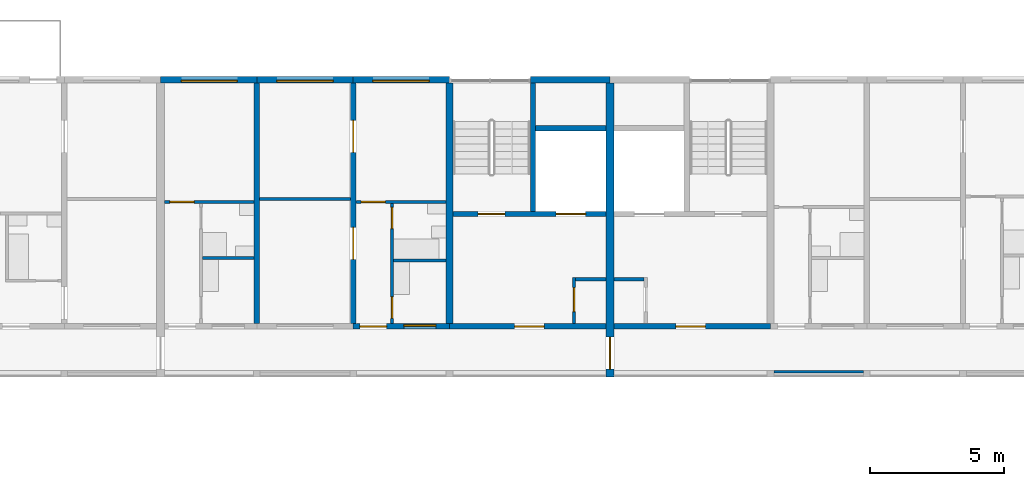
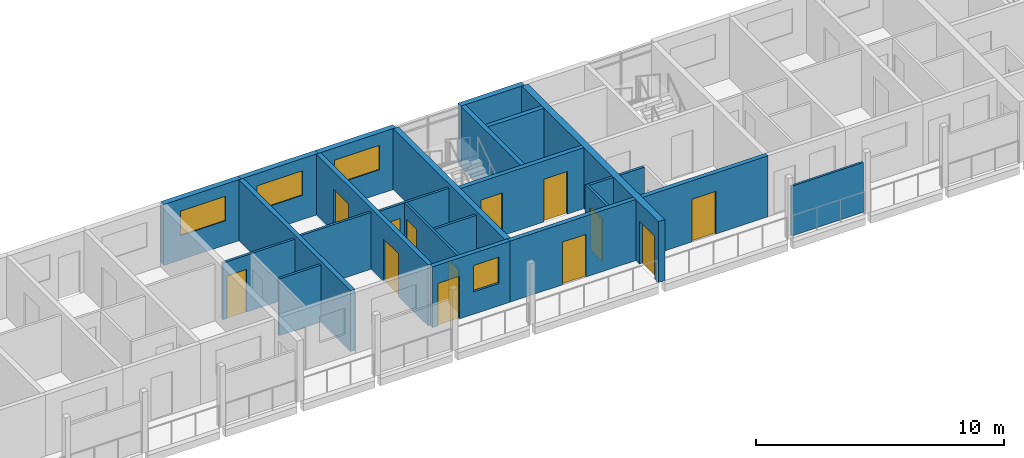
# One storey, part 52 of 115: 24 walls, 13 doors, 4 windows, 17 openings.
"""IFC4 building model written with IfcOpenShell, lengths in metres."""

from ifc_helpers import new_model, si_unit, direction, frame, frame_2d, origin, place, context, subcontext, project, spatial, rectangle, extrude, material, layer, layer_set, type_object, element, fill, save


model = new_model("IFC4")

# Units and contexts
model_context = context("Model", 3, precision=1e-05, world=origin(), true_north=direction((0.0, 1.0)))
body_context = subcontext(model_context, "Body", "Model", "MODEL_VIEW")
ifc_project = project(units=[si_unit("LENGTHUNIT", "METRE"), si_unit("AREAUNIT", "SQUARE_METRE"), si_unit("VOLUMEUNIT", "CUBIC_METRE"), si_unit("PLANEANGLEUNIT", "RADIAN"), si_unit("MASSUNIT", "GRAM", prefix="KILO")], contexts=[model_context])

# Site, building, storey
site_placement = place(None, origin())
site = spatial("IfcSite", under=ifc_project, at=site_placement, CompositionType="ELEMENT")
building_placement = place(site_placement, origin())
building = spatial("IfcBuilding", under=site, at=building_placement, Name="Ridgestep Commons", CompositionType="ELEMENT")
storey_placement = place(building_placement, frame((0.0, 0.0, 6.0)))
storey = spatial("IfcBuildingStorey", under=building, at=storey_placement, Name="L02", CompositionType="ELEMENT", Elevation=6.0)

# Wall
ifc_material_1 = material(Name="Concrete C30/37", Category="concrete")
ifc_layer_1 = layer(ifc_material_1, 0.25)
ifc_layer_set_1 = layer_set([ifc_layer_1], Name="Core cross wall 250")
wall_type_1 = type_object("IfcWallType", Name="Core cross wall 250", PredefinedType="SHEAR", material=ifc_layer_set_1)
wall_1_placement = place(storey_placement, frame((73.199951171875, 68.0, 0.0), z_axis=(0.0, 0.0, 1.0), x_axis=(0.0, 1.0, 0.0)))
element("IfcWall", 1, at=wall_1_placement, inside=storey, type_object=wall_type_1, Name="Cross wall B-02-0732", PredefinedType="SHEAR", context=body_context, shape_type="SweptSolid", body=[
    extrude(rectangle(XDim=9.0, YDim=0.25, at=frame_2d((4.5, 0.0))), origin(), (0.0, 0.0, 1.0), 3.0),
])

# Wall, opening, door
ifc_material_2 = material(Name="Concrete C30/37", Category="concrete")
ifc_layer_2 = layer(ifc_material_2, 0.199951171875)
ifc_layer_set_2 = layer_set([ifc_layer_2], Name="Core south wall 200")
wall_type_2 = type_object("IfcWallType", Name="Core south wall 200", PredefinedType="SHEAR", material=ifc_layer_set_2)
wall_2_placement = place(storey_placement, frame((73.199951171875, 67.89990234375, 0.0), z_axis=(0.0, 0.0, 1.0), x_axis=(1.0, 0.0, 0.0)))
wall_2 = element("IfcWall", 2, at=wall_2_placement, inside=storey, type_object=wall_type_2, Name="Core south wall B4C L02", PredefinedType="SHEAR", context=body_context, shape_type="SweptSolid", body=[
    extrude(rectangle(XDim=5.85009765625, YDim=0.199951171875, at=frame_2d((2.925048828125, 0.0))), origin(), (0.0, 0.0, 1.0), 3.0),
])
opening_1_placement = place(wall_2_placement, frame((2.4375, 0.0, 0.0)))
opening_1 = element("IfcOpeningElement", 3, at=opening_1_placement, cuts=wall_2, Name="Opening B4C/02/1", PredefinedType="OPENING", context=body_context, shape_type="SweptSolid", body=[
    extrude(rectangle(XDim=1.10009765625, YDim=2.10009765625, at=frame_2d((0.550048828125, 1.050048828125))), frame((0.0, 0.10986328125, 0.0), z_axis=(0.0, -1.0, 0.0), x_axis=(1.0, 0.0, 0.0)), (0.0, 0.0, 1.0), 0.219970703125),
])
ifc_material_3 = material(Name="Steel fire door", Category="steel")
door_type_1 = type_object("IfcDoorType", Name="Lobby door 1100 x 2100 FD60", OperationType="NOTDEFINED", PredefinedType="DOOR", material=ifc_material_3)
door_1_placement = place(opening_1_placement, origin())
door_1 = element("IfcDoor", 4, at=door_1_placement, inside=storey, type_object=door_type_1, Name="Lobby door B4C/02/1", OperationType="SINGLE_SWING_LEFT", OverallHeight=2.10009765625, OverallWidth=1.10009765625, PredefinedType="DOOR", context=body_context, shape_type="SweptSolid", body=[
    extrude(rectangle(XDim=1.10009765625, YDim=2.10009765625, at=frame_2d((0.550048828125, 1.050048828125))), frame((0.0, 0.02490234375, 0.0), z_axis=(0.0, -1.0, 0.0), x_axis=(1.0, 0.0, 0.0)), (0.0, 0.0, 1.0), 0.050048828125),
])
fill(opening_1, door_1)

wall_3_placement = place(storey_placement, frame((79.35009765625, 67.89990234375, 0.0), z_axis=(0.0, 0.0, 1.0), x_axis=(1.0, 0.0, 0.0)))
wall_3 = element("IfcWall", 5, at=wall_3_placement, inside=storey, type_object=wall_type_2, Name="Core south wall B5C L02", PredefinedType="SHEAR", context=body_context, shape_type="SweptSolid", body=[
    extrude(rectangle(XDim=5.849853515625, YDim=0.199951171875, at=frame_2d((2.9248046875, 0.0))), origin(), (0.0, 0.0, 1.0), 3.0),
])
opening_2_placement = place(wall_3_placement, frame((2.3125, 0.0, 0.0)))
opening_2 = element("IfcOpeningElement", 6, at=opening_2_placement, cuts=wall_3, Name="Opening B5C/02/1", PredefinedType="OPENING", context=body_context, shape_type="SweptSolid", body=[
    extrude(rectangle(XDim=1.10009765625, YDim=2.10009765625, at=frame_2d((0.550048828125, 1.050048828125))), frame((0.0, 0.10986328125, 0.0), z_axis=(0.0, -1.0, 0.0), x_axis=(1.0, 0.0, 0.0)), (0.0, 0.0, 1.0), 0.219970703125),
])
door_2_placement = place(opening_2_placement, origin())
door_2 = element("IfcDoor", 7, at=door_2_placement, inside=storey, type_object=door_type_1, Name="Lobby door B5C/02/1", OperationType="SINGLE_SWING_LEFT", OverallHeight=2.10009765625, OverallWidth=1.10009765625, PredefinedType="DOOR", context=body_context, shape_type="SweptSolid", body=[
    extrude(rectangle(XDim=1.10009765625, YDim=2.10009765625, at=frame_2d((0.550048828125, 1.050048828125))), frame((0.0, 0.02490234375, 0.0), z_axis=(0.0, -1.0, 0.0), x_axis=(1.0, 0.0, 0.0)), (0.0, 0.0, 1.0), 0.050048828125),
])
fill(opening_2, door_2)

ifc_material_4 = material(Name="Concrete C30/37", Category="concrete")
ifc_layer_3 = layer(ifc_material_4, 0.1201171875)
ifc_layer_set_3 = layer_set([ifc_layer_3], Name="Core wall 120")
wall_type_3 = type_object("IfcWallType", Name="Core wall 120", PredefinedType="SHEAR", material=ifc_layer_set_3)
wall_4_placement = place(storey_placement, frame((77.860107421875, 68.0, 0.0), z_axis=(0.0, 0.0, 1.0), x_axis=(0.0, 1.0, 0.0)))
wall_4 = element("IfcWall", 8, at=wall_4_placement, inside=storey, type_object=wall_type_3, Name="Core riser w wall B4C L02", PredefinedType="SHEAR", context=body_context, shape_type="SweptSolid", body=[
    extrude(rectangle(XDim=1.719970703125, YDim=0.1201171875, at=frame_2d((0.85986328125, 0.0))), origin(), (0.0, 0.0, 1.0), 3.0),
])
opening_3_placement = place(wall_4_placement, frame((0.449951171875, 0.0, 0.0)))
opening_3 = element("IfcOpeningElement", 9, at=opening_3_placement, cuts=wall_4, Name="Opening B4C/02/4", PredefinedType="OPENING", context=body_context, shape_type="SweptSolid", body=[
    extrude(rectangle(XDim=0.89990234375, YDim=2.10009765625, at=frame_2d((0.449951171875, 1.050048828125))), frame((0.0, 0.070068359375, 0.0), z_axis=(0.0, -1.0, 0.0), x_axis=(1.0, 0.0, 0.0)), (0.0, 0.0, 1.0), 0.14013671875),
])
ifc_material_5 = material(Name="Steel fire door", Category="steel")
door_type_2 = type_object("IfcDoorType", Name="Riser door 900 x 2100 FD60", OperationType="NOTDEFINED", PredefinedType="DOOR", material=ifc_material_5)
door_3_placement = place(opening_3_placement, origin())
door_3 = element("IfcDoor", 10, at=door_3_placement, inside=storey, type_object=door_type_2, Name="Riser door B4C/02/4", OperationType="SINGLE_SWING_LEFT", OverallHeight=2.10009765625, OverallWidth=0.89990234375, PredefinedType="DOOR", context=body_context, shape_type="SweptSolid", body=[
    extrude(rectangle(XDim=0.89990234375, YDim=2.10009765625, at=frame_2d((0.449951171875, 1.050048828125))), frame((0.0, 0.02490234375, 0.0), z_axis=(0.0, -1.0, 0.0), x_axis=(1.0, 0.0, 0.0)), (0.0, 0.0, 1.0), 0.050048828125),
])
fill(opening_3, door_3)

# Walls
wall_5_placement = place(storey_placement, frame((77.919921875, 69.659912109375, 0.0), z_axis=(0.0, 0.0, 1.0), x_axis=(1.0, 0.0, 0.0)))
element("IfcWall", 11, at=wall_5_placement, inside=storey, type_object=wall_type_3, Name="Core riser n wall B4C L02", PredefinedType="SHEAR", context=body_context, shape_type="SweptSolid", body=[
    extrude(rectangle(XDim=1.130126953125, YDim=0.1201171875, at=frame_2d((0.56494140625, 0.0))), origin(), (0.0, 0.0, 1.0), 3.0),
])
wall_6_placement = place(storey_placement, frame((79.35009765625, 69.659912109375, 0.0), z_axis=(0.0, 0.0, 1.0), x_axis=(1.0, 0.0, 0.0)))
element("IfcWall", 12, at=wall_6_placement, inside=storey, type_object=wall_type_3, Name="Core riser n wall B5C L02", PredefinedType="SHEAR", context=body_context, shape_type="SweptSolid", body=[
    extrude(rectangle(XDim=1.1298828125, YDim=0.1201171875, at=frame_2d((0.56494140625, 0.0))), origin(), (0.0, 0.0, 1.0), 3.0),
])

# Wall, openings, doors
ifc_material_6 = material(Name="Concrete C30/37", Category="concrete")
ifc_layer_4 = layer(ifc_material_6, 0.199951171875)
ifc_layer_set_4 = layer_set([ifc_layer_4], Name="Core wall 200")
wall_type_4 = type_object("IfcWallType", Name="Core wall 200", PredefinedType="SHEAR", material=ifc_layer_set_4)
wall_7_placement = place(storey_placement, frame((73.324951171875, 72.10009765625, 0.0), z_axis=(0.0, 0.0, 1.0), x_axis=(1.0, 0.0, 0.0)))
wall_7 = element("IfcWall", 13, at=wall_7_placement, inside=storey, type_object=wall_type_4, Name="Core lobby wall B4C L02", PredefinedType="SHEAR", context=body_context, shape_type="SweptSolid", body=[
    extrude(rectangle(XDim=5.72509765625, YDim=0.199951171875, at=frame_2d((2.862548828125, 0.0))), origin(), (0.0, 0.0, 1.0), 3.0),
])
opening_4_placement = place(wall_7_placement, frame((0.949951171875, 0.0, 0.0)))
opening_4 = element("IfcOpeningElement", 14, at=opening_4_placement, cuts=wall_7, Name="Opening B4C/02/2", PredefinedType="OPENING", context=body_context, shape_type="SweptSolid", body=[
    extrude(rectangle(XDim=1.0, YDim=2.10009765625, at=frame_2d((0.5, 1.050048828125))), frame((0.0, 0.10986328125, 0.0), z_axis=(0.0, -1.0, 0.0), x_axis=(1.0, 0.0, 0.0)), (0.0, 0.0, 1.0), 0.219970703125),
])
opening_5_placement = place(wall_7_placement, frame((3.862548828125, 0.0, 0.0)))
opening_5 = element("IfcOpeningElement", 15, at=opening_5_placement, cuts=wall_7, Name="Opening B4C/02/3", PredefinedType="OPENING", context=body_context, shape_type="SweptSolid", body=[
    extrude(rectangle(XDim=1.10009765625, YDim=2.10009765625, at=frame_2d((0.550048828125, 1.050048828125))), frame((0.0, 0.10986328125, 0.0), z_axis=(0.0, -1.0, 0.0), x_axis=(1.0, 0.0, 0.0)), (0.0, 0.0, 1.0), 0.219970703125),
])
ifc_material_7 = material(Name="Stainless steel", Category="steel")
door_type_3 = type_object("IfcDoorType", Name="Lift landing door 1100 x 2100 FD60", OperationType="DOUBLE_DOOR_SLIDING", PredefinedType="DOOR", material=ifc_material_7)
door_4_placement = place(opening_5_placement, origin())
door_4 = element("IfcDoor", 16, at=door_4_placement, inside=storey, type_object=door_type_3, Name="Landing door LD B4C L02", OperationType="DOUBLE_DOOR_SLIDING", OverallHeight=2.10009765625, OverallWidth=1.10009765625, PredefinedType="DOOR", context=body_context, shape_type="SweptSolid", body=[
    extrude(rectangle(XDim=1.10009765625, YDim=2.10009765625, at=frame_2d((0.550048828125, 1.050048828125))), frame((0.0, 0.02490234375, 0.0), z_axis=(0.0, -1.0, 0.0), x_axis=(1.0, 0.0, 0.0)), (0.0, 0.0, 1.0), 0.050048828125),
])
fill(opening_5, door_4)
ifc_material_8 = material(Name="Steel fire door", Category="steel")
door_type_4 = type_object("IfcDoorType", Name="Stair door 1000 x 2100 FD60", OperationType="NOTDEFINED", PredefinedType="DOOR", material=ifc_material_8)
door_5_placement = place(opening_4_placement, origin())
door_5 = element("IfcDoor", 17, at=door_5_placement, inside=storey, type_object=door_type_4, Name="Stair door B4C/02/2", OperationType="SINGLE_SWING_RIGHT", OverallHeight=2.10009765625, OverallWidth=1.0, PredefinedType="DOOR", context=body_context, shape_type="SweptSolid", body=[
    extrude(rectangle(XDim=1.0, YDim=2.10009765625, at=frame_2d((0.5, 1.050048828125))), frame((0.0, 0.02490234375, 0.0), z_axis=(0.0, -1.0, 0.0), x_axis=(1.0, 0.0, 0.0)), (0.0, 0.0, 1.0), 0.050048828125),
])
fill(opening_4, door_5)

# Walls
wall_8_placement = place(storey_placement, frame((76.324951171875, 72.199951171875, 0.0), z_axis=(0.0, 0.0, 1.0), x_axis=(0.0, 1.0, 0.0)))
element("IfcWall", 18, at=wall_8_placement, inside=storey, type_object=wall_type_4, Name="Core stair wall B4C L02", PredefinedType="SHEAR", context=body_context, shape_type="SweptSolid", body=[
    extrude(rectangle(XDim=4.800048828125, YDim=0.199951171875, at=frame_2d((2.39990234375, 0.0))), origin(), (0.0, 0.0, 1.0), 3.0),
])
wall_9_placement = place(storey_placement, frame((76.425048828125, 75.300048828125, 0.0), z_axis=(0.0, 0.0, 1.0), x_axis=(1.0, 0.0, 0.0)))
element("IfcWall", 19, at=wall_9_placement, inside=storey, type_object=wall_type_4, Name="Core duct wall B4C L02", PredefinedType="SHEAR", context=body_context, shape_type="SweptSolid", body=[
    extrude(rectangle(XDim=2.625, YDim=0.199951171875, at=frame_2d((1.3125, 0.0))), origin(), (0.0, 0.0, 1.0), 3.0),
])
ifc_material_9 = material(Name="Precast concrete C40/50", Category="concrete")
ifc_layer_5 = layer(ifc_material_9, 0.199951171875)
ifc_layer_set_5 = layer_set([ifc_layer_5], Name="Cross wall 200")
wall_type_5 = type_object("IfcWallType", Name="Cross wall 200", PredefinedType="SHEAR", material=ifc_layer_set_5)
wall_10_placement = place(storey_placement, frame((66.0, 68.0, 0.0), z_axis=(0.0, 0.0, 1.0), x_axis=(0.0, 1.0, 0.0)))
element("IfcWall", 20, at=wall_10_placement, inside=storey, type_object=wall_type_5, Name="Cross wall B-02-0660", PredefinedType="SHEAR", context=body_context, shape_type="SweptSolid", body=[
    extrude(rectangle(XDim=9.0, YDim=0.199951171875, at=frame_2d((4.5, 0.0))), origin(), (0.0, 0.0, 1.0), 3.0),
])

# Wall, openings, doors
wall_11_placement = place(storey_placement, frame((69.60009765625, 68.0, 0.0), z_axis=(0.0, 0.0, 1.0), x_axis=(0.0, 1.0, 0.0)))
wall_11 = element("IfcWall", 21, at=wall_11_placement, inside=storey, type_object=wall_type_5, Name="Cross wall B-02-0696", PredefinedType="SHEAR", context=body_context, shape_type="SweptSolid", body=[
    extrude(rectangle(XDim=9.0, YDim=0.199951171875, at=frame_2d((4.5, 0.0))), origin(), (0.0, 0.0, 1.0), 3.0),
])
opening_6_placement = place(wall_11_placement, frame((2.39990234375, 0.0, 0.0)))
opening_6 = element("IfcOpeningElement", 22, at=opening_6_placement, cuts=wall_11, Name="Opening B4-02b/5", PredefinedType="OPENING", context=body_context, shape_type="SweptSolid", body=[
    extrude(rectangle(XDim=1.199951171875, YDim=2.10009765625, at=frame_2d((0.60009765625, 1.050048828125))), frame((0.0, 0.10986328125, 0.0), z_axis=(0.0, -1.0, 0.0), x_axis=(1.0, 0.0, 0.0)), (0.0, 0.0, 1.0), 0.219970703125),
])
opening_7_placement = place(wall_11_placement, frame((6.39990234375, 0.0, 0.0)))
opening_7 = element("IfcOpeningElement", 23, at=opening_7_placement, cuts=wall_11, Name="Opening B4-02b/6", PredefinedType="OPENING", context=body_context, shape_type="SweptSolid", body=[
    extrude(rectangle(XDim=1.199951171875, YDim=2.10009765625, at=frame_2d((0.60009765625, 1.050048828125))), frame((0.0, 0.10986328125, 0.0), z_axis=(0.0, -1.0, 0.0), x_axis=(1.0, 0.0, 0.0)), (0.0, 0.0, 1.0), 0.219970703125),
])
ifc_material_10 = material(Name="Timber door leaf", Category="wood")
door_type_5 = type_object("IfcDoorType", Name="Double door 1200 x 2100", OperationType="DOUBLE_DOOR_SINGLE_SWING", PredefinedType="DOOR", material=ifc_material_10)
door_6_placement = place(opening_6_placement, origin())
door_6 = element("IfcDoor", 24, at=door_6_placement, inside=storey, type_object=door_type_5, Name="Double door B4-02b/5", OperationType="DOUBLE_DOOR_SINGLE_SWING", OverallHeight=2.10009765625, OverallWidth=1.199951171875, PredefinedType="DOOR", context=body_context, shape_type="SweptSolid", body=[
    extrude(rectangle(XDim=1.199951171875, YDim=2.10009765625, at=frame_2d((0.60009765625, 1.050048828125))), frame((0.0, 0.02490234375, 0.0), z_axis=(0.0, -1.0, 0.0), x_axis=(1.0, 0.0, 0.0)), (0.0, 0.0, 1.0), 0.050048828125),
])
fill(opening_6, door_6)
door_7_placement = place(opening_7_placement, origin())
door_7 = element("IfcDoor", 25, at=door_7_placement, inside=storey, type_object=door_type_5, Name="Double door B4-02b/6", OperationType="DOUBLE_DOOR_SINGLE_SWING", OverallHeight=2.10009765625, OverallWidth=1.199951171875, PredefinedType="DOOR", context=body_context, shape_type="SweptSolid", body=[
    extrude(rectangle(XDim=1.199951171875, YDim=2.10009765625, at=frame_2d((0.60009765625, 1.050048828125))), frame((0.0, 0.02490234375, 0.0), z_axis=(0.0, -1.0, 0.0), x_axis=(1.0, 0.0, 0.0)), (0.0, 0.0, 1.0), 0.050048828125),
])
fill(opening_7, door_7)

# Wall, opening, door
ifc_material_11 = material(Name="Precast concrete C40/50", Category="concrete")
ifc_layer_6 = layer(ifc_material_11, 0.300048828125)
ifc_layer_set_6 = layer_set([ifc_layer_6], Name="Division wall 300")
wall_type_6 = type_object("IfcWallType", Name="Division wall 300", PredefinedType="SHEAR", material=ifc_layer_set_6)
wall_12_placement = place(storey_placement, frame((79.199951171875, 66.0, 0.0), z_axis=(0.0, 0.0, 1.0), x_axis=(0.0, 1.0, 0.0)))
wall_12 = element("IfcWall", 26, at=wall_12_placement, inside=storey, type_object=wall_type_6, Name="Cross wall B-02-0792", PredefinedType="SHEAR", context=body_context, shape_type="SweptSolid", body=[
    extrude(rectangle(XDim=11.0, YDim=0.300048828125, at=frame_2d((5.5, 0.0))), origin(), (0.0, 0.0, 1.0), 3.0),
])
opening_8_placement = place(wall_12_placement, frame((0.300048828125, 0.0, 0.0)))
opening_8 = element("IfcOpeningElement", 27, at=opening_8_placement, cuts=wall_12, Name="Opening B/02/G0792", PredefinedType="OPENING", context=body_context, shape_type="SweptSolid", body=[
    extrude(rectangle(XDim=1.199951171875, YDim=2.10009765625, at=frame_2d((0.60009765625, 1.050048828125))), frame((0.0, 0.159912109375, 0.0), z_axis=(0.0, -1.0, 0.0), x_axis=(1.0, 0.0, 0.0)), (0.0, 0.0, 1.0), 0.320068359375),
])
ifc_material_12 = material(Name="Steel fire door", Category="steel")
door_type_6 = type_object("IfcDoorType", Name="Division fire door 1200 x 2100 EI 240", OperationType="DOUBLE_DOOR_SINGLE_SWING", PredefinedType="DOOR", material=ifc_material_12)
door_8_placement = place(opening_8_placement, origin())
door_8 = element("IfcDoor", 28, at=door_8_placement, inside=storey, type_object=door_type_6, Name="Division fire door B/02/G0792", OperationType="DOUBLE_DOOR_SINGLE_SWING", OverallHeight=2.10009765625, OverallWidth=1.199951171875, PredefinedType="DOOR", context=body_context, shape_type="SweptSolid", body=[
    extrude(rectangle(XDim=1.199951171875, YDim=2.10009765625, at=frame_2d((0.60009765625, 1.050048828125))), frame((0.0, 0.02490234375, 0.0), z_axis=(0.0, -1.0, 0.0), x_axis=(1.0, 0.0, 0.0)), (0.0, 0.0, 1.0), 0.050048828125),
])
fill(opening_8, door_8)

# Wall, opening, window
ifc_material_13 = material(Name="Precast concrete C40/50", Category="concrete")
ifc_layer_7 = layer(ifc_material_13, 0.25)
ifc_layer_set_7 = layer_set([ifc_layer_7], Name="North facade panel 250")
wall_type_7 = type_object("IfcWallType", Name="North facade panel 250", PredefinedType="SOLIDWALL", material=ifc_layer_set_7)
wall_13_placement = place(storey_placement, frame((62.39990234375, 77.125, 0.0), z_axis=(0.0, 0.0, 1.0), x_axis=(1.0, 0.0, 0.0)))
wall_13 = element("IfcWall", 29, at=wall_13_placement, inside=storey, type_object=wall_type_7, Name="North panel B4T1 L02", PredefinedType="SOLIDWALL", context=body_context, shape_type="SweptSolid", body=[
    extrude(rectangle(XDim=3.60009765625, YDim=0.25, at=frame_2d((1.800048828125, 0.0))), origin(), (0.0, 0.0, 1.0), 3.0),
])
opening_9_placement = place(wall_13_placement, frame((0.77490234375, 0.0, 1.199951171875)))
opening_9 = element("IfcOpeningElement", 30, at=opening_9_placement, cuts=wall_13, Name="Opening W22", PredefinedType="OPENING", context=body_context, shape_type="SweptSolid", body=[
    extrude(rectangle(XDim=2.10009765625, YDim=1.199951171875, at=frame_2d((1.050048828125, 0.60009765625))), frame((0.0, 0.135009765625, 0.0), z_axis=(0.0, -1.0, 0.0), x_axis=(1.0, 0.0, 0.0)), (0.0, 0.0, 1.0), 0.27001953125),
])
ifc_material_14 = material(Name="Aluminium 6063-T6 and glass", Category="aluminium")
window_type_1 = type_object("IfcWindowType", Name="Flat window 2100 x 1200", PartitioningType="DOUBLE_PANEL_VERTICAL", PredefinedType="WINDOW", material=ifc_material_14)
window_1_placement = place(opening_9_placement, origin())
window_1 = element("IfcWindow", 31, at=window_1_placement, inside=storey, type_object=window_type_1, Name="Window B4-02a 2", OverallHeight=1.199951171875, OverallWidth=2.10009765625, PartitioningType="SINGLE_PANEL", PredefinedType="WINDOW", context=body_context, shape_type="SweptSolid", body=[
    extrude(rectangle(XDim=2.10009765625, YDim=1.199951171875, at=frame_2d((1.050048828125, 0.60009765625))), frame((0.0, -0.02490234375, 0.0), z_axis=(0.0, -1.0, 0.0), x_axis=(1.0, 0.0, 0.0)), (0.0, 0.0, 1.0), 0.06005859375),
])
fill(opening_9, window_1)

wall_14_placement = place(storey_placement, frame((66.0, 77.125, 0.0), z_axis=(0.0, 0.0, 1.0), x_axis=(1.0, 0.0, 0.0)))
wall_14 = element("IfcWall", 32, at=wall_14_placement, inside=storey, type_object=wall_type_7, Name="North panel B4T2 L02", PredefinedType="SOLIDWALL", context=body_context, shape_type="SweptSolid", body=[
    extrude(rectangle(XDim=3.60009765625, YDim=0.25, at=frame_2d((1.800048828125, 0.0))), origin(), (0.0, 0.0, 1.0), 3.0),
])
opening_10_placement = place(wall_14_placement, frame((0.75, 0.0, 1.199951171875)))
opening_10 = element("IfcOpeningElement", 33, at=opening_10_placement, cuts=wall_14, Name="Opening W22", PredefinedType="OPENING", context=body_context, shape_type="SweptSolid", body=[
    extrude(rectangle(XDim=2.10009765625, YDim=1.199951171875, at=frame_2d((1.050048828125, 0.60009765625))), frame((0.0, 0.135009765625, 0.0), z_axis=(0.0, -1.0, 0.0), x_axis=(1.0, 0.0, 0.0)), (0.0, 0.0, 1.0), 0.27001953125),
])
window_2_placement = place(opening_10_placement, origin())
window_2 = element("IfcWindow", 34, at=window_2_placement, inside=storey, type_object=window_type_1, Name="Window B4-02b 2", OverallHeight=1.199951171875, OverallWidth=2.10009765625, PartitioningType="SINGLE_PANEL", PredefinedType="WINDOW", context=body_context, shape_type="SweptSolid", body=[
    extrude(rectangle(XDim=2.10009765625, YDim=1.199951171875, at=frame_2d((1.050048828125, 0.60009765625))), frame((0.0, -0.02490234375, 0.0), z_axis=(0.0, -1.0, 0.0), x_axis=(1.0, 0.0, 0.0)), (0.0, 0.0, 1.0), 0.06005859375),
])
fill(opening_10, window_2)

wall_15_placement = place(storey_placement, frame((69.60009765625, 77.125, 0.0), z_axis=(0.0, 0.0, 1.0), x_axis=(1.0, 0.0, 0.0)))
wall_15 = element("IfcWall", 35, at=wall_15_placement, inside=storey, type_object=wall_type_7, Name="North panel B4T3 L02", PredefinedType="SOLIDWALL", context=body_context, shape_type="SweptSolid", body=[
    extrude(rectangle(XDim=3.599853515625, YDim=0.25, at=frame_2d((1.7998046875, 0.0))), origin(), (0.0, 0.0, 1.0), 3.0),
])
opening_11_placement = place(wall_15_placement, frame((0.737548828125, 0.0, 1.199951171875)))
opening_11 = element("IfcOpeningElement", 36, at=opening_11_placement, cuts=wall_15, Name="Opening W22", PredefinedType="OPENING", context=body_context, shape_type="SweptSolid", body=[
    extrude(rectangle(XDim=2.10009765625, YDim=1.199951171875, at=frame_2d((1.050048828125, 0.60009765625))), frame((0.0, 0.135009765625, 0.0), z_axis=(0.0, -1.0, 0.0), x_axis=(1.0, 0.0, 0.0)), (0.0, 0.0, 1.0), 0.27001953125),
])
window_3_placement = place(opening_11_placement, origin())
window_3 = element("IfcWindow", 37, at=window_3_placement, inside=storey, type_object=window_type_1, Name="Window B4-02b 4", OverallHeight=1.199951171875, OverallWidth=2.10009765625, PartitioningType="SINGLE_PANEL", PredefinedType="WINDOW", context=body_context, shape_type="SweptSolid", body=[
    extrude(rectangle(XDim=2.10009765625, YDim=1.199951171875, at=frame_2d((1.050048828125, 0.60009765625))), frame((0.0, -0.02490234375, 0.0), z_axis=(0.0, -1.0, 0.0), x_axis=(1.0, 0.0, 0.0)), (0.0, 0.0, 1.0), 0.06005859375),
])
fill(opening_11, window_3)

# Walls
wall_16_placement = place(storey_placement, frame((76.22509765625, 77.125, 0.0), z_axis=(0.0, 0.0, 1.0), x_axis=(1.0, 0.0, 0.0)))
element("IfcWall", 38, at=wall_16_placement, inside=storey, type_object=wall_type_7, Name="North panel B4C L02", PredefinedType="SOLIDWALL", context=body_context, shape_type="SweptSolid", body=[
    extrude(rectangle(XDim=2.974853515625, YDim=0.25, at=frame_2d((1.4873046875, 0.0))), origin(), (0.0, 0.0, 1.0), 3.0),
])
ifc_material_15 = material(Name="Common brick 110 mm", Category="masonry")
ifc_layer_8 = layer(ifc_material_15, 0.110107421875)
ifc_layer_set_8 = layer_set([ifc_layer_8], Name="Partition 110")
wall_type_8 = type_object("IfcWallType", Name="Partition 110", PredefinedType="PARTITIONING", material=ifc_layer_set_8)
wall_17_placement = place(storey_placement, frame((63.9599609375, 70.455078125, 0.0), z_axis=(0.0, 0.0, 1.0), x_axis=(1.0, 0.0, 0.0)))
element("IfcWall", 39, at=wall_17_placement, inside=storey, type_object=wall_type_8, Name="Partition B4-02a", PredefinedType="PARTITIONING", context=body_context, shape_type="SweptSolid", body=[
    extrude(rectangle(XDim=1.93994140625, YDim=0.110107421875, at=frame_2d((0.969970703125, 0.0))), origin(), (0.0, 0.0, 1.0), 2.800048828125),
])

# Wall, opening, door
wall_18_placement = place(storey_placement, frame((62.550048828125, 72.554931640625, 0.0), z_axis=(0.0, 0.0, 1.0), x_axis=(1.0, 0.0, 0.0)))
wall_18 = element("IfcWall", 40, at=wall_18_placement, inside=storey, type_object=wall_type_8, Name="Partition B4-02a", PredefinedType="PARTITIONING", context=body_context, shape_type="SweptSolid", body=[
    extrude(rectangle(XDim=3.349853515625, YDim=0.110107421875, at=frame_2d((1.6748046875, 0.0))), origin(), (0.0, 0.0, 1.0), 2.800048828125),
])
opening_12_placement = place(wall_18_placement, frame((0.199951171875, 0.0, 0.0)))
opening_12 = element("IfcOpeningElement", 41, at=opening_12_placement, cuts=wall_18, Name="Opening B4-02a/4", PredefinedType="OPENING", context=body_context, shape_type="SweptSolid", body=[
    extrude(rectangle(XDim=0.89990234375, YDim=2.10009765625, at=frame_2d((0.449951171875, 1.050048828125))), frame((0.0, 0.06494140625, 0.0), z_axis=(0.0, -1.0, 0.0), x_axis=(1.0, 0.0, 0.0)), (0.0, 0.0, 1.0), 0.130126953125),
])
ifc_material_16 = material(Name="Timber door leaf", Category="wood")
door_type_7 = type_object("IfcDoorType", Name="Internal door 900 x 2100", OperationType="NOTDEFINED", PredefinedType="DOOR", material=ifc_material_16)
door_9_placement = place(opening_12_placement, origin())
door_9 = element("IfcDoor", 42, at=door_9_placement, inside=storey, type_object=door_type_7, Name="Internal door B4-02a/4", OperationType="SINGLE_SWING_LEFT", OverallHeight=2.10009765625, OverallWidth=0.89990234375, PredefinedType="DOOR", context=body_context, shape_type="SweptSolid", body=[
    extrude(rectangle(XDim=0.89990234375, YDim=2.10009765625, at=frame_2d((0.449951171875, 1.050048828125))), frame((0.0, 0.02490234375, 0.0), z_axis=(0.0, -1.0, 0.0), x_axis=(1.0, 0.0, 0.0)), (0.0, 0.0, 1.0), 0.050048828125),
])
fill(opening_12, door_9)

# Wall, openings, doors
wall_19_placement = place(storey_placement, frame((71.054931640625, 68.0, 0.0), z_axis=(0.0, 0.0, 1.0), x_axis=(0.0, 1.0, 0.0)))
wall_19 = element("IfcWall", 43, at=wall_19_placement, inside=storey, type_object=wall_type_8, Name="Partition B4-02b", PredefinedType="PARTITIONING", context=body_context, shape_type="SweptSolid", body=[
    extrude(rectangle(XDim=4.5, YDim=0.110107421875, at=frame_2d((2.25, 0.0))), origin(), (0.0, 0.0, 1.0), 2.800048828125),
])
opening_13_placement = place(wall_19_placement, frame((0.199951171875, 0.0, 0.0)))
opening_13 = element("IfcOpeningElement", 44, at=opening_13_placement, cuts=wall_19, Name="Opening B4-02b/2", PredefinedType="OPENING", context=body_context, shape_type="SweptSolid", body=[
    extrude(rectangle(XDim=0.800048828125, YDim=2.10009765625, at=frame_2d((0.39990234375, 1.050048828125))), frame((0.0, 0.06494140625, 0.0), z_axis=(0.0, -1.0, 0.0), x_axis=(1.0, 0.0, 0.0)), (0.0, 0.0, 1.0), 0.130126953125),
])
opening_14_placement = place(wall_19_placement, frame((3.550048828125, 0.0, 0.0)))
opening_14 = element("IfcOpeningElement", 45, at=opening_14_placement, cuts=wall_19, Name="Opening B4-02b/3", PredefinedType="OPENING", context=body_context, shape_type="SweptSolid", body=[
    extrude(rectangle(XDim=0.800048828125, YDim=2.10009765625, at=frame_2d((0.39990234375, 1.050048828125))), frame((0.0, 0.06494140625, 0.0), z_axis=(0.0, -1.0, 0.0), x_axis=(1.0, 0.0, 0.0)), (0.0, 0.0, 1.0), 0.130126953125),
])
ifc_material_17 = material(Name="Timber door leaf", Category="wood")
door_type_8 = type_object("IfcDoorType", Name="Internal door 800 x 2100", OperationType="NOTDEFINED", PredefinedType="DOOR", material=ifc_material_17)
door_10_placement = place(opening_13_placement, origin())
door_10 = element("IfcDoor", 46, at=door_10_placement, inside=storey, type_object=door_type_8, Name="Internal door B4-02b/2", OperationType="SINGLE_SWING_RIGHT", OverallHeight=2.10009765625, OverallWidth=0.800048828125, PredefinedType="DOOR", context=body_context, shape_type="SweptSolid", body=[
    extrude(rectangle(XDim=0.800048828125, YDim=2.10009765625, at=frame_2d((0.39990234375, 1.050048828125))), frame((0.0, 0.02490234375, 0.0), z_axis=(0.0, -1.0, 0.0), x_axis=(1.0, 0.0, 0.0)), (0.0, 0.0, 1.0), 0.050048828125),
])
fill(opening_13, door_10)
door_11_placement = place(opening_14_placement, origin())
door_11 = element("IfcDoor", 47, at=door_11_placement, inside=storey, type_object=door_type_8, Name="Internal door B4-02b/3", OperationType="SINGLE_SWING_LEFT", OverallHeight=2.10009765625, OverallWidth=0.800048828125, PredefinedType="DOOR", context=body_context, shape_type="SweptSolid", body=[
    extrude(rectangle(XDim=0.800048828125, YDim=2.10009765625, at=frame_2d((0.39990234375, 1.050048828125))), frame((0.0, 0.02490234375, 0.0), z_axis=(0.0, -1.0, 0.0), x_axis=(1.0, 0.0, 0.0)), (0.0, 0.0, 1.0), 0.050048828125),
])
fill(opening_14, door_11)

# Wall
wall_20_placement = place(storey_placement, frame((71.110107421875, 70.35498046875, 0.0), z_axis=(0.0, 0.0, 1.0), x_axis=(1.0, 0.0, 0.0)))
element("IfcWall", 48, at=wall_20_placement, inside=storey, type_object=wall_type_8, Name="Partition B4-02b", PredefinedType="PARTITIONING", context=body_context, shape_type="SweptSolid", body=[
    extrude(rectangle(XDim=1.96484375, YDim=0.110107421875, at=frame_2d((0.982421875, 0.0))), origin(), (0.0, 0.0, 1.0), 2.800048828125),
])

# Wall, opening, door
wall_21_placement = place(storey_placement, frame((69.699951171875, 72.554931640625, 0.0), z_axis=(0.0, 0.0, 1.0), x_axis=(1.0, 0.0, 0.0)))
wall_21 = element("IfcWall", 49, at=wall_21_placement, inside=storey, type_object=wall_type_8, Name="Partition B4-02b", PredefinedType="PARTITIONING", context=body_context, shape_type="SweptSolid", body=[
    extrude(rectangle(XDim=3.375, YDim=0.110107421875, at=frame_2d((1.6875, 0.0))), origin(), (0.0, 0.0, 1.0), 2.800048828125),
])
opening_15_placement = place(wall_21_placement, frame((0.199951171875, 0.0, 0.0)))
opening_15 = element("IfcOpeningElement", 50, at=opening_15_placement, cuts=wall_21, Name="Opening B4-02b/4", PredefinedType="OPENING", context=body_context, shape_type="SweptSolid", body=[
    extrude(rectangle(XDim=0.89990234375, YDim=2.10009765625, at=frame_2d((0.449951171875, 1.050048828125))), frame((0.0, 0.06494140625, 0.0), z_axis=(0.0, -1.0, 0.0), x_axis=(1.0, 0.0, 0.0)), (0.0, 0.0, 1.0), 0.130126953125),
])
door_12_placement = place(opening_15_placement, origin())
door_12 = element("IfcDoor", 51, at=door_12_placement, inside=storey, type_object=door_type_7, Name="Internal door B4-02b/4", OperationType="SINGLE_SWING_LEFT", OverallHeight=2.10009765625, OverallWidth=0.89990234375, PredefinedType="DOOR", context=body_context, shape_type="SweptSolid", body=[
    extrude(rectangle(XDim=0.89990234375, YDim=2.10009765625, at=frame_2d((0.449951171875, 1.050048828125))), frame((0.0, 0.02490234375, 0.0), z_axis=(0.0, -1.0, 0.0), x_axis=(1.0, 0.0, 0.0)), (0.0, 0.0, 1.0), 0.050048828125),
])
fill(opening_15, door_12)

# Walls
wall_22_placement = place(storey_placement, frame((66.10009765625, 72.655029296875, 0.0), z_axis=(0.0, 0.0, 1.0), x_axis=(1.0, 0.0, 0.0)))
element("IfcWall", 52, at=wall_22_placement, inside=storey, type_object=wall_type_8, Name="Partition B4-02b", PredefinedType="PARTITIONING", context=body_context, shape_type="SweptSolid", body=[
    extrude(rectangle(XDim=3.39990234375, YDim=0.110107421875, at=frame_2d((1.699951171875, 0.0))), origin(), (0.0, 0.0, 1.0), 2.800048828125),
])
ifc_material_18 = material(Name="Precast concrete C30/37", Category="concrete")
ifc_layer_9 = layer(ifc_material_18, 0.10009765625)
ifc_layer_set_9 = layer_set([ifc_layer_9], Name="Perforated gallery screen 3350 x 2450 x 100")
wall_type_9 = type_object("IfcWallType", Name="Perforated gallery screen 3350 x 2450 x 100", PredefinedType="SOLIDWALL", material=ifc_layer_set_9)
wall_23_placement = place(storey_placement, frame((85.324951171875, 66.199951171875, 0.0), z_axis=(0.0, 0.0, 1.0), x_axis=(1.0, 0.0, 0.0)))
element("IfcWall", 53, at=wall_23_placement, inside=storey, type_object=wall_type_9, Name="Gallery screen B5T3 02", PredefinedType="SOLIDWALL", context=body_context, shape_type="SweptSolid", body=[
    extrude(rectangle(XDim=3.35009765625, YDim=0.10009765625, at=frame_2d((1.675048828125, 0.0))), origin(), (0.0, 0.0, 1.0), 2.449951171875),
])

# Wall, openings, door, window
ifc_material_19 = material(Name="Precast concrete C40/50", Category="concrete")
ifc_layer_10 = layer(ifc_material_19, 0.199951171875)
ifc_layer_set_10 = layer_set([ifc_layer_10], Name="South facade panel 200")
wall_type_10 = type_object("IfcWallType", Name="South facade panel 200", PredefinedType="SOLIDWALL", material=ifc_layer_set_10)
wall_24_placement = place(storey_placement, frame((69.60009765625, 67.89990234375, 0.0), z_axis=(0.0, 0.0, 1.0), x_axis=(1.0, 0.0, 0.0)))
wall_24 = element("IfcWall", 54, at=wall_24_placement, inside=storey, type_object=wall_type_10, Name="South panel B4T3 L02", PredefinedType="SOLIDWALL", context=body_context, shape_type="SweptSolid", body=[
    extrude(rectangle(XDim=3.599853515625, YDim=0.199951171875, at=frame_2d((1.7998046875, 0.0))), origin(), (0.0, 0.0, 1.0), 3.0),
])
opening_16_placement = place(wall_24_placement, frame((1.892578125, 0.0, 1.10009765625)))
opening_16 = element("IfcOpeningElement", 55, at=opening_16_placement, cuts=wall_24, Name="Opening W08", PredefinedType="OPENING", context=body_context, shape_type="SweptSolid", body=[
    extrude(rectangle(XDim=1.199951171875, YDim=1.300048828125, at=frame_2d((0.60009765625, 0.64990234375))), frame((0.0, 0.10986328125, 0.0), z_axis=(0.0, -1.0, 0.0), x_axis=(1.0, 0.0, 0.0)), (0.0, 0.0, 1.0), 0.219970703125),
])
opening_17_placement = place(wall_24_placement, frame((0.25, 0.0, 0.0)))
opening_17 = element("IfcOpeningElement", 56, at=opening_17_placement, cuts=wall_24, Name="Opening B4-02b/1", PredefinedType="OPENING", context=body_context, shape_type="SweptSolid", body=[
    extrude(rectangle(XDim=1.0, YDim=2.10009765625, at=frame_2d((0.5, 1.050048828125))), frame((0.0, 0.10986328125, 0.0), z_axis=(0.0, -1.0, 0.0), x_axis=(1.0, 0.0, 0.0)), (0.0, 0.0, 1.0), 0.219970703125),
])
ifc_material_20 = material(Name="Timber door leaf", Category="wood")
door_type_9 = type_object("IfcDoorType", Name="Flat entrance door 1000 x 2100 FD30S", OperationType="NOTDEFINED", PredefinedType="DOOR", material=ifc_material_20)
door_13_placement = place(opening_17_placement, origin())
door_13 = element("IfcDoor", 57, at=door_13_placement, inside=storey, type_object=door_type_9, Name="Flat entrance door B4-02b/1", OperationType="SINGLE_SWING_LEFT", OverallHeight=2.10009765625, OverallWidth=1.0, PredefinedType="DOOR", context=body_context, shape_type="SweptSolid", body=[
    extrude(rectangle(XDim=1.0, YDim=2.10009765625, at=frame_2d((0.5, 1.050048828125))), frame((0.0, 0.02490234375, 0.0), z_axis=(0.0, -1.0, 0.0), x_axis=(1.0, 0.0, 0.0)), (0.0, 0.0, 1.0), 0.050048828125),
])
fill(opening_17, door_13)
ifc_material_21 = material(Name="Aluminium 6063-T6 and glass", Category="aluminium")
window_type_2 = type_object("IfcWindowType", Name="Flat window 1200 x 1300", PartitioningType="SINGLE_PANEL", PredefinedType="WINDOW", material=ifc_material_21)
window_4_placement = place(opening_16_placement, origin())
window_4 = element("IfcWindow", 58, at=window_4_placement, inside=storey, type_object=window_type_2, Name="Window B4-02b 3", OverallHeight=1.300048828125, OverallWidth=1.199951171875, PartitioningType="SINGLE_PANEL", PredefinedType="WINDOW", context=body_context, shape_type="SweptSolid", body=[
    extrude(rectangle(XDim=1.199951171875, YDim=1.300048828125, at=frame_2d((0.60009765625, 0.64990234375))), frame((0.0, 0.06005859375, 0.0), z_axis=(0.0, -1.0, 0.0), x_axis=(1.0, 0.0, 0.0)), (0.0, 0.0, 1.0), 0.06005859375),
])
fill(opening_16, window_4)

save(model, "model.ifc")
